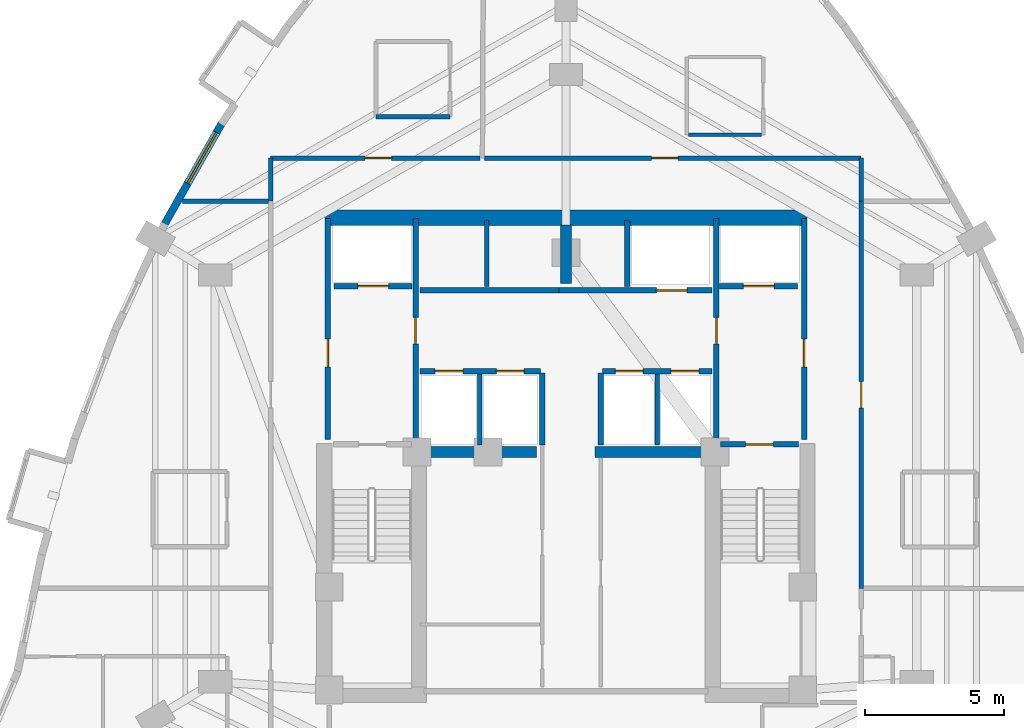
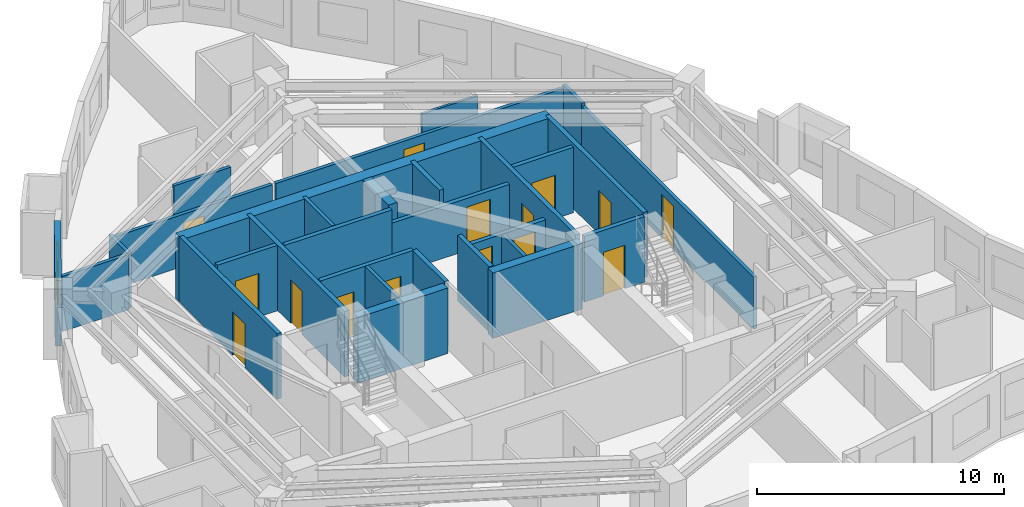
# One storey, part 6 of 10: 30 walls, 15 doors, 1 window, 16 openings.
"""IFC4 building model written with IfcOpenShell, lengths in metres."""

from ifc_helpers import new_model, si_unit, direction, frame, frame_2d, origin, place, context, subcontext, project, spatial, rectangle, extrude, material, layer, layer_set, type_object, element, fill, save


model = new_model("IFC4")

# Units and contexts
model_context = context("Model", 3, precision=1e-05, world=origin(), true_north=direction((0.0, 1.0)))
body_context = subcontext(model_context, "Body", "Model", "MODEL_VIEW")
ifc_project = project(units=[si_unit("LENGTHUNIT", "METRE"), si_unit("AREAUNIT", "SQUARE_METRE"), si_unit("VOLUMEUNIT", "CUBIC_METRE"), si_unit("PLANEANGLEUNIT", "RADIAN"), si_unit("MASSUNIT", "GRAM", prefix="KILO")], contexts=[model_context])

# Site, building, storey
site_placement = place(None, origin())
site = spatial("IfcSite", under=ifc_project, at=site_placement, CompositionType="ELEMENT")
building_placement = place(site_placement, origin())
building = spatial("IfcBuilding", under=site, at=building_placement, Name="Miruveldt Soraemaru", CompositionType="ELEMENT")
storey_placement = place(building_placement, frame((0.0, 0.0, 173.89990234375)))
storey = spatial("IfcBuildingStorey", under=building, at=storey_placement, Name="L48", CompositionType="ELEMENT", Elevation=173.89990234375)

# Walls
ifc_material_1 = material(Name="Concrete C70/85 (70 MPa)", Category="concrete")
ifc_layer_1 = layer(ifc_material_1, 0.5, Name="Concrete C70/85 (70 MPa)", Category="concrete")
ifc_layer_set_1 = layer_set([ifc_layer_1], Name="Concrete C70/85 (70 MPa)")
wall_type_1 = type_object("IfcWallType", Name="WALL-BW-500", PredefinedType="SHEAR", material=ifc_layer_set_1)
wall_1_placement = place(storey_placement, frame((44.0, 50.10009765625, 0.0), z_axis=(0.0, 0.0, 1.0), x_axis=(0.0, 1.0, 0.0)))
element("IfcWall", 1, at=wall_1_placement, inside=storey, type_object=wall_type_1, Name="L48 Core Buttress Shear Wall BN", PredefinedType="SHEAR", context=body_context, shape_type="SweptSolid", body=[
    extrude(rectangle(XDim=2.099853515625, YDim=0.39990234375, at=frame_2d((1.0498046875, 0.0))), origin(), (0.0, 0.0, 1.0), 3.235107421875),
])
for number, where, z_axis, x_axis, name in (
    (2, (38.75, 44.050048828125, 0.0), (0.0, 0.0, 1.0), (1.0, 0.0, 0.0), "L48 Core Buttress Shear Wall BW"),
    (3, (45.050048828125, 44.050048828125, 0.0), (0.0, 0.0, 1.0), (1.0, 0.0, 0.0), "L48 Core Buttress Shear Wall BE"),
):
    element("IfcWall", number, at=place(storey_placement, frame(where, z_axis=z_axis, x_axis=x_axis)), inside=storey, type_object=wall_type_1, Name=name, PredefinedType="SHEAR", context=body_context, shape_type="SweptSolid", body=[
        extrude(rectangle(XDim=4.199951171875, YDim=0.39990234375, at=frame_2d((2.10009765625, 0.0))), origin(), (0.0, 0.0, 1.0), 3.235107421875),
    ])
ifc_layer_2 = layer(ifc_material_1, 0.550048828125, Name="Concrete C70/85 (70 MPa)", Category="concrete")
ifc_layer_set_2 = layer_set([ifc_layer_2], Name="Concrete C70/85 (70 MPa)")
wall_type_2 = type_object("IfcWallType", Name="WALL-CW-550", PredefinedType="SHEAR", material=ifc_layer_set_2)
wall_2_placement = place(storey_placement, frame((35.35009765625, 52.449951171875, 0.0), z_axis=(0.0, 0.0, 1.0), x_axis=(1.0, 0.0, 0.0)))
element("IfcWall", 4, at=wall_2_placement, inside=storey, type_object=wall_type_2, Name="L48 Central Core Shear Wall N", PredefinedType="SHEAR", context=body_context, shape_type="SweptSolid", body=[
    extrude(rectangle(XDim=17.2998046875, YDim=0.550048828125, at=frame_2d((8.64990234375, 0.0))), origin(), (0.0, 0.0, 1.0), 3.235107421875),
])

# Wall, opening, window
ifc_material_2 = material(Name="Precast concrete C45/55 (45 MPa)", Category="concrete")
ifc_layer_3 = layer(ifc_material_2, 0.27001953125, Name="Precast concrete C45/55 (45 MPa)", Category="concrete")
ifc_layer_set_3 = layer_set([ifc_layer_3], Name="Precast concrete C45/55 (45 MPa)")
wall_type_3 = type_object("IfcWallType", Name="WALL-EXT-PC270", PredefinedType="SOLIDWALL", material=ifc_layer_set_3)
wall_3_placement = place(storey_placement, frame((31.657470703125, 55.87841796875, 0.0), z_axis=(0.0, 0.0, 1.0), x_axis=(-0.493382289932, -0.869812575203, 0.0)))
wall_3 = element("IfcWall", 5, at=wall_3_placement, inside=storey, type_object=wall_type_3, Name="L48 Precast Concrete Facade Wall 10", PredefinedType="SOLIDWALL", context=body_context, shape_type="SweptSolid", body=[
    extrude(rectangle(XDim=4.248046875, YDim=0.27001953125, at=frame_2d((2.1240234375, 0.0))), origin(), (0.0, 0.0, 1.0), 3.235107421875),
])
opening_1_placement = place(wall_3_placement, frame((0.4130859375, 0.0, 0.800048828125)))
opening_1 = element("IfcOpeningElement", 6, at=opening_1_placement, cuts=wall_3, Name="Opening WN-1", PredefinedType="OPENING", context=body_context, shape_type="SweptSolid", body=[
    extrude(rectangle(XDim=2.10009765625, YDim=1.699951171875, at=frame_2d((1.050048828125, 0.85009765625))), frame((0.0, 0.14501953125, 0.0), z_axis=(0.0, -1.0, 0.0), x_axis=(1.0, 0.0, 0.0)), (0.0, 0.0, 1.0), 0.2900390625),
])
ifc_material_3 = material(Name="Triple low-e insulated glazing", Category="glass")
window_type = type_object("IfcWindowType", Name="WIN-PUNCH-2100x1700", PartitioningType="SINGLE_PANEL", PredefinedType="WINDOW", material=ifc_material_3)
window_placement = place(opening_1_placement, origin())
window = element("IfcWindow", 7, at=window_placement, inside=storey, type_object=window_type, Name="L48 Punched Triple-Glazed Window 10.1", OverallHeight=1.699951171875, OverallWidth=2.10009765625, PartitioningType="SINGLE_PANEL", PredefinedType="WINDOW", context=body_context, shape_type="SweptSolid", body=[
    extrude(rectangle(XDim=2.10009765625, YDim=1.699951171875, at=frame_2d((1.050048828125, 0.85009765625))), frame((0.0, 0.030029296875, 0.0), z_axis=(0.0, -1.0, 0.0), x_axis=(1.0, 0.0, 0.0)), (0.0, 0.0, 1.0), 0.06005859375),
])
fill(opening_1, window)

# Walls
ifc_material_4 = material(Name="Gypsum plasterboard lining", Category="gypsum")
ifc_layer_4 = layer(ifc_material_4, 0.1201171875, Name="Gypsum plasterboard lining", Category="gypsum")
ifc_layer_set_4 = layer_set([ifc_layer_4], Name="Gypsum plasterboard lining")
wall_type_4 = type_object("IfcWallType", Name="WALL-INT-P120", PredefinedType="PARTITIONING", material=ifc_layer_set_4)
wall_4_placement = place(storey_placement, frame((48.39111328125, 55.429931640625, 0.0), z_axis=(0.0, 0.0, 1.0), x_axis=(1.0, 0.0, 0.0)))
element("IfcWall", 8, at=wall_4_placement, inside=storey, type_object=wall_type_4, Name="L48 Partition Wall 24", PredefinedType="PARTITIONING", context=body_context, shape_type="SweptSolid", body=[
    extrude(rectangle(XDim=2.6298828125, YDim=0.1201171875, at=frame_2d((1.31494140625, 0.0))), origin(), (0.0, 0.0, 1.0), 2.923095703125),
])
ifc_layer_5 = layer(ifc_material_4, 0.14990234375, Name="Gypsum plasterboard lining", Category="gypsum")
ifc_layer_set_5 = layer_set([ifc_layer_5], Name="Gypsum plasterboard lining")
wall_type_5 = type_object("IfcWallType", Name="WALL-INT-PLUMB", PredefinedType="PLUMBINGWALL", material=ifc_layer_set_5)
wall_5_placement = place(storey_placement, frame((37.18408203125, 56.080078125, 0.0), z_axis=(0.0, 0.0, 1.0), x_axis=(1.0, 0.0, 0.0)))
element("IfcWall", 9, at=wall_5_placement, inside=storey, type_object=wall_type_5, Name="L48 Partition Wall 14", PredefinedType="PLUMBINGWALL", context=body_context, shape_type="SweptSolid", body=[
    extrude(rectangle(XDim=2.64990234375, YDim=0.14990234375, at=frame_2d((1.324951171875, 0.0))), origin(), (0.0, 0.0, 1.0), 2.923095703125),
])

# Wall, opening, door
ifc_material_5 = material(Name="Concrete C40/50 (40 MPa)", Category="concrete")
ifc_layer_6 = layer(ifc_material_5, 0.159912109375, Name="Concrete C40/50 (40 MPa)", Category="concrete")
ifc_layer_set_6 = layer_set([ifc_layer_6], Name="Concrete C40/50 (40 MPa)")
wall_type_6 = type_object("IfcWallType", Name="WALL-INT-RC160", PredefinedType="SOLIDWALL", material=ifc_layer_set_6)
wall_6_placement = place(storey_placement, frame((54.60009765625, 39.15087890625, 0.0), z_axis=(0.0, 0.0, 1.0), x_axis=(0.0, 1.0, 0.0)))
wall_6 = element("IfcWall", 10, at=wall_6_placement, inside=storey, type_object=wall_type_6, Name="L48 Partition Wall 12", PredefinedType="SOLIDWALL", context=body_context, shape_type="SweptSolid", body=[
    extrude(rectangle(XDim=13.899169921875, YDim=0.159912109375, at=frame_2d((6.94970703125, 0.0))), origin(), (0.0, 0.0, 1.0), 2.572998046875),
])
opening_2_placement = place(wall_6_placement, frame((6.47412109375, 0.0, 0.0)))
opening_2 = element("IfcOpeningElement", 11, at=opening_2_placement, cuts=wall_6, Name="Opening FD2", PredefinedType="OPENING", context=body_context, shape_type="SweptSolid", body=[
    extrude(rectangle(XDim=0.949951171875, YDim=2.14990234375, at=frame_2d((0.47509765625, 1.074951171875))), frame((0.0, 0.08984375, 0.0), z_axis=(0.0, -1.0, 0.0), x_axis=(1.0, 0.0, 0.0)), (0.0, 0.0, 1.0), 0.179931640625),
])
ifc_material_6 = material(Name="Anodised aluminium EN AW-6063 T6", Category="aluminium")
door_type_1 = type_object("IfcDoorType", Name="DOOR-FD2-950", OperationType="NOTDEFINED", PredefinedType="DOOR", material=ifc_material_6)
door_1_placement = place(opening_2_placement, origin())
door_1 = element("IfcDoor", 12, at=door_1_placement, inside=storey, type_object=door_type_1, Name="L48 Unit CL06 Entrance Fire Door", OperationType="SINGLE_SWING_RIGHT", OverallHeight=2.14990234375, OverallWidth=0.949951171875, PredefinedType="DOOR", context=body_context, shape_type="SweptSolid", body=[
    extrude(rectangle(XDim=0.949951171875, YDim=2.14990234375, at=frame_2d((0.47509765625, 1.074951171875))), frame((0.0, 0.02490234375, 0.0), z_axis=(0.0, -1.0, 0.0), x_axis=(1.0, 0.0, 0.0)), (0.0, 0.0, 1.0), 0.050048828125),
])
fill(opening_2, door_1)

wall_7_placement = place(storey_placement, frame((54.60009765625, 54.60009765625, 0.0), z_axis=(0.0, 0.0, 1.0), x_axis=(-1.0, 0.0, 0.0)))
wall_7 = element("IfcWall", 13, at=wall_7_placement, inside=storey, type_object=wall_type_6, Name="L48 Partition Wall 4", PredefinedType="SOLIDWALL", context=body_context, shape_type="SweptSolid", body=[
    extrude(rectangle(XDim=13.51708984375, YDim=0.159912109375, at=frame_2d((6.758544921875, 0.0))), origin(), (0.0, 0.0, 1.0), 2.572998046875),
])
opening_3_placement = place(wall_7_placement, frame((6.573974609375, 0.0, 0.0)))
opening_3 = element("IfcOpeningElement", 14, at=opening_3_placement, cuts=wall_7, Name="Opening FD2", PredefinedType="OPENING", context=body_context, shape_type="SweptSolid", body=[
    extrude(rectangle(XDim=0.949951171875, YDim=2.14990234375, at=frame_2d((0.47509765625, 1.074951171875))), frame((0.0, 0.08984375, 0.0), z_axis=(0.0, -1.0, 0.0), x_axis=(1.0, 0.0, 0.0)), (0.0, 0.0, 1.0), 0.179931640625),
])
door_2_placement = place(opening_3_placement, origin())
door_2 = element("IfcDoor", 15, at=door_2_placement, inside=storey, type_object=door_type_1, Name="L48 Unit CL02 Entrance Fire Door", OperationType="SINGLE_SWING_RIGHT", OverallHeight=2.14990234375, OverallWidth=0.949951171875, PredefinedType="DOOR", context=body_context, shape_type="SweptSolid", body=[
    extrude(rectangle(XDim=0.949951171875, YDim=2.14990234375, at=frame_2d((0.47509765625, 1.074951171875))), frame((0.0, 0.02490234375, 0.0), z_axis=(0.0, -1.0, 0.0), x_axis=(1.0, 0.0, 0.0)), (0.0, 0.0, 1.0), 0.050048828125),
])
fill(opening_3, door_2)

wall_8_placement = place(storey_placement, frame((40.9169921875, 54.60009765625, 0.0), z_axis=(0.0, 0.0, 1.0), x_axis=(-1.0, 0.0, 0.0)))
wall_8 = element("IfcWall", 16, at=wall_8_placement, inside=storey, type_object=wall_type_6, Name="L48 Partition Wall 1", PredefinedType="SOLIDWALL", context=body_context, shape_type="SweptSolid", body=[
    extrude(rectangle(XDim=7.51708984375, YDim=0.159912109375, at=frame_2d((3.758544921875, 0.0))), origin(), (0.0, 0.0, 1.0), 2.572998046875),
])
opening_4_placement = place(wall_8_placement, frame((3.174072265625, 0.0, 0.0)))
opening_4 = element("IfcOpeningElement", 17, at=opening_4_placement, cuts=wall_8, Name="Opening FD2", PredefinedType="OPENING", context=body_context, shape_type="SweptSolid", body=[
    extrude(rectangle(XDim=0.949951171875, YDim=2.14990234375, at=frame_2d((0.47509765625, 1.074951171875))), frame((0.0, 0.08984375, 0.0), z_axis=(0.0, -1.0, 0.0), x_axis=(1.0, 0.0, 0.0)), (0.0, 0.0, 1.0), 0.179931640625),
])
door_3_placement = place(opening_4_placement, origin())
door_3 = element("IfcDoor", 18, at=door_3_placement, inside=storey, type_object=door_type_1, Name="L48 Unit CL01 Entrance Fire Door", OperationType="SINGLE_SWING_RIGHT", OverallHeight=2.14990234375, OverallWidth=0.949951171875, PredefinedType="DOOR", context=body_context, shape_type="SweptSolid", body=[
    extrude(rectangle(XDim=0.949951171875, YDim=2.14990234375, at=frame_2d((0.47509765625, 1.074951171875))), frame((0.0, 0.02490234375, 0.0), z_axis=(0.0, -1.0, 0.0), x_axis=(1.0, 0.0, 0.0)), (0.0, 0.0, 1.0), 0.050048828125),
])
fill(opening_4, door_3)

# Walls
wall_9_placement = place(storey_placement, frame((30.22607421875, 53.050048828125, 0.0), z_axis=(0.0, 0.0, 1.0), x_axis=(1.0, 0.0, 0.0)))
element("IfcWall", 19, at=wall_9_placement, inside=storey, type_object=wall_type_6, Name="L48 Partition Wall 16", PredefinedType="SOLIDWALL", context=body_context, shape_type="SweptSolid", body=[
    extrude(rectangle(XDim=3.093994140625, YDim=0.159912109375, at=frame_2d((1.546875, 0.0))), origin(), (0.0, 0.0, 1.0), 2.72314453125),
])
wall_10_placement = place(storey_placement, frame((40.89990234375, 44.300048828125, 0.0), z_axis=(0.0, 0.0, 1.0), x_axis=(0.0, 1.0, 0.0)))
element("IfcWall", 20, at=wall_10_placement, inside=storey, type_object=wall_type_6, Name="L48 Core Compartment Wall PLM-DW", PredefinedType="SOLIDWALL", context=body_context, shape_type="SweptSolid", body=[
    extrude(rectangle(XDim=2.550048828125, YDim=0.159912109375, at=frame_2d((1.27490234375, 0.0))), origin(), (0.0, 0.0, 1.0), 3.235107421875),
])
wall_11_placement = place(storey_placement, frame((47.280029296875, 44.300048828125, 0.0), z_axis=(0.0, 0.0, 1.0), x_axis=(0.0, 1.0, 0.0)))
element("IfcWall", 21, at=wall_11_placement, inside=storey, type_object=wall_type_6, Name="L48 Core Compartment Wall PLM-DE", PredefinedType="SOLIDWALL", context=body_context, shape_type="SweptSolid", body=[
    extrude(rectangle(XDim=2.550048828125, YDim=0.159912109375, at=frame_2d((1.27490234375, 0.0))), origin(), (0.0, 0.0, 1.0), 2.572998046875),
])
wall_12_placement = place(storey_placement, frame((41.14990234375, 49.97998046875, 0.0), z_axis=(0.0, 0.0, 1.0), x_axis=(0.0, 1.0, 0.0)))
element("IfcWall", 22, at=wall_12_placement, inside=storey, type_object=wall_type_6, Name="L48 Core Compartment Wall PLH-DIV1", PredefinedType="SOLIDWALL", context=body_context, shape_type="SweptSolid", body=[
    extrude(rectangle(XDim=2.3701171875, YDim=0.159912109375, at=frame_2d((1.18505859375, 0.0))), origin(), (0.0, 0.0, 1.0), 3.235107421875),
])
for number, where, z_axis, x_axis, name in (
    (23, (33.39990234375, 54.60009765625, 0.0), (0.0, 0.0, 1.0), (0.0, -1.0, 0.0), "L48 Partition Wall 2"),
    (24, (54.60009765625, 53.052978515625, 0.0), (0.0, 0.0, 1.0), (0.0, 1.0, 0.0), "L48 Partition Wall 3"),
):
    element("IfcWall", number, at=place(storey_placement, frame(where, z_axis=z_axis, x_axis=x_axis)), inside=storey, type_object=wall_type_6, Name=name, PredefinedType="SOLIDWALL", context=body_context, shape_type="SweptSolid", body=[
        extrude(rectangle(XDim=1.547119140625, YDim=0.159912109375, at=frame_2d((0.7734375, 0.0))), origin(), (0.0, 0.0, 1.0), 2.72314453125),
    ])

# Wall, opening, door
ifc_layer_7 = layer(ifc_material_5, 0.199951171875, Name="Concrete C40/50 (40 MPa)", Category="concrete")
ifc_layer_set_7 = layer_set([ifc_layer_7], Name="Concrete C40/50 (40 MPa)")
wall_type_7 = type_object("IfcWallType", Name="WALL-INT-RC200", PredefinedType="SOLIDWALL", material=ifc_layer_set_7)
wall_13_placement = place(storey_placement, frame((35.449951171875, 44.5, 0.0), z_axis=(0.0, 0.0, 1.0), x_axis=(0.0, 1.0, 0.0)))
wall_13 = element("IfcWall", 25, at=wall_13_placement, inside=storey, type_object=wall_type_7, Name="L48 Core Compartment Wall FFW-OUT", PredefinedType="SOLIDWALL", context=body_context, shape_type="SweptSolid", body=[
    extrude(rectangle(XDim=7.919921875, YDim=0.199951171875, at=frame_2d((3.9599609375, 0.0))), origin(), (0.0, 0.0, 1.0), 3.235107421875),
])
opening_5_placement = place(wall_13_placement, frame((2.60009765625, 0.0, 0.0)))
opening_5 = element("IfcOpeningElement", 26, at=opening_5_placement, cuts=wall_13, Name="Opening FD1", PredefinedType="OPENING", context=body_context, shape_type="SweptSolid", body=[
    extrude(rectangle(XDim=1.0, YDim=2.14990234375, at=frame_2d((0.5, 1.074951171875))), frame((0.0, 0.10986328125, 0.0), z_axis=(0.0, -1.0, 0.0), x_axis=(1.0, 0.0, 0.0)), (0.0, 0.0, 1.0), 0.219970703125),
])
door_type_2 = type_object("IfcDoorType", Name="DOOR-FD1-1000", OperationType="NOTDEFINED", PredefinedType="DOOR", material=ifc_material_6)
door_4_placement = place(opening_5_placement, origin())
door_4 = element("IfcDoor", 27, at=door_4_placement, inside=storey, type_object=door_type_2, Name="L48 West Firefighting Lobby Exit Door", OperationType="SINGLE_SWING_LEFT", OverallHeight=2.14990234375, OverallWidth=1.0, PredefinedType="DOOR", context=body_context, shape_type="SweptSolid", body=[
    extrude(rectangle(XDim=1.0, YDim=2.14990234375, at=frame_2d((0.5, 1.074951171875))), frame((0.0, 0.02490234375, 0.0), z_axis=(0.0, -1.0, 0.0), x_axis=(1.0, 0.0, 0.0)), (0.0, 0.0, 1.0), 0.050048828125),
])
fill(opening_5, door_4)

wall_14_placement = place(storey_placement, frame((52.550048828125, 44.5, 0.0), z_axis=(0.0, 0.0, 1.0), x_axis=(0.0, 1.0, 0.0)))
wall_14 = element("IfcWall", 28, at=wall_14_placement, inside=storey, type_object=wall_type_7, Name="L48 Core Compartment Wall FFE-OUT", PredefinedType="SOLIDWALL", context=body_context, shape_type="SweptSolid", body=[
    extrude(rectangle(XDim=7.919921875, YDim=0.199951171875, at=frame_2d((3.9599609375, 0.0))), origin(), (0.0, 0.0, 1.0), 3.235107421875),
])
opening_6_placement = place(wall_14_placement, frame((2.60009765625, 0.0, 0.0)))
opening_6 = element("IfcOpeningElement", 29, at=opening_6_placement, cuts=wall_14, Name="Opening FD1", PredefinedType="OPENING", context=body_context, shape_type="SweptSolid", body=[
    extrude(rectangle(XDim=1.0, YDim=2.14990234375, at=frame_2d((0.5, 1.074951171875))), frame((0.0, 0.10986328125, 0.0), z_axis=(0.0, -1.0, 0.0), x_axis=(1.0, 0.0, 0.0)), (0.0, 0.0, 1.0), 0.219970703125),
])
door_5_placement = place(opening_6_placement, frame((1.0, 0.0, 0.0), z_axis=(0.0, 0.0, 1.0), x_axis=(-1.0, 0.0, 0.0)))
door_5 = element("IfcDoor", 30, at=door_5_placement, inside=storey, type_object=door_type_2, Name="L48 East Firefighting Lobby Exit Door", OperationType="SINGLE_SWING_RIGHT", OverallHeight=2.14990234375, OverallWidth=1.0, PredefinedType="DOOR", context=body_context, shape_type="SweptSolid", body=[
    extrude(rectangle(XDim=1.0, YDim=2.14990234375, at=frame_2d((0.5, 1.074951171875))), frame((0.0, 0.02490234375, 0.0), z_axis=(0.0, -1.0, 0.0), x_axis=(1.0, 0.0, 0.0)), (0.0, 0.0, 1.0), 0.050048828125),
])
fill(opening_6, door_5)

wall_15_placement = place(storey_placement, frame((38.60009765625, 44.5, 0.0), z_axis=(0.0, 0.0, 1.0), x_axis=(0.0, 1.0, 0.0)))
wall_15 = element("IfcWall", 31, at=wall_15_placement, inside=storey, type_object=wall_type_7, Name="L48 Core Compartment Wall FFW-IN", PredefinedType="SOLIDWALL", context=body_context, shape_type="SweptSolid", body=[
    extrude(rectangle(XDim=7.919921875, YDim=0.199951171875, at=frame_2d((3.9599609375, 0.0))), origin(), (0.0, 0.0, 1.0), 3.235107421875),
])
opening_7_placement = place(wall_15_placement, frame((3.425048828125, 0.0, 0.0)))
opening_7 = element("IfcOpeningElement", 32, at=opening_7_placement, cuts=wall_15, Name="Opening FD2", PredefinedType="OPENING", context=body_context, shape_type="SweptSolid", body=[
    extrude(rectangle(XDim=0.949951171875, YDim=2.14990234375, at=frame_2d((0.47509765625, 1.074951171875))), frame((0.0, 0.10986328125, 0.0), z_axis=(0.0, -1.0, 0.0), x_axis=(1.0, 0.0, 0.0)), (0.0, 0.0, 1.0), 0.219970703125),
])
door_6_placement = place(opening_7_placement, frame((0.949951171875, 0.0, 0.0), z_axis=(0.0, 0.0, 1.0), x_axis=(-1.0, 0.0, 0.0)))
door_6 = element("IfcDoor", 33, at=door_6_placement, inside=storey, type_object=door_type_1, Name="L48 Lift Lobby to West Fire Lobby Door", OperationType="SINGLE_SWING_RIGHT", OverallHeight=2.14990234375, OverallWidth=0.949951171875, PredefinedType="DOOR", context=body_context, shape_type="SweptSolid", body=[
    extrude(rectangle(XDim=0.949951171875, YDim=2.14990234375, at=frame_2d((0.47509765625, 1.074951171875))), frame((0.0, 0.02490234375, 0.0), z_axis=(0.0, -1.0, 0.0), x_axis=(1.0, 0.0, 0.0)), (0.0, 0.0, 1.0), 0.050048828125),
])
fill(opening_7, door_6)

wall_16_placement = place(storey_placement, frame((49.39990234375, 44.5, 0.0), z_axis=(0.0, 0.0, 1.0), x_axis=(0.0, 1.0, 0.0)))
wall_16 = element("IfcWall", 34, at=wall_16_placement, inside=storey, type_object=wall_type_7, Name="L48 Core Compartment Wall FFE-IN", PredefinedType="SOLIDWALL", context=body_context, shape_type="SweptSolid", body=[
    extrude(rectangle(XDim=7.919921875, YDim=0.199951171875, at=frame_2d((3.9599609375, 0.0))), origin(), (0.0, 0.0, 1.0), 3.235107421875),
])
opening_8_placement = place(wall_16_placement, frame((3.425048828125, 0.0, 0.0)))
opening_8 = element("IfcOpeningElement", 35, at=opening_8_placement, cuts=wall_16, Name="Opening FD2", PredefinedType="OPENING", context=body_context, shape_type="SweptSolid", body=[
    extrude(rectangle(XDim=0.949951171875, YDim=2.14990234375, at=frame_2d((0.47509765625, 1.074951171875))), frame((0.0, 0.10986328125, 0.0), z_axis=(0.0, -1.0, 0.0), x_axis=(1.0, 0.0, 0.0)), (0.0, 0.0, 1.0), 0.219970703125),
])
door_7_placement = place(opening_8_placement, origin())
door_7 = element("IfcDoor", 36, at=door_7_placement, inside=storey, type_object=door_type_1, Name="L48 Lift Lobby to East Fire Lobby Door", OperationType="SINGLE_SWING_LEFT", OverallHeight=2.14990234375, OverallWidth=0.949951171875, PredefinedType="DOOR", context=body_context, shape_type="SweptSolid", body=[
    extrude(rectangle(XDim=0.949951171875, YDim=2.14990234375, at=frame_2d((0.47509765625, 1.074951171875))), frame((0.0, 0.02490234375, 0.0), z_axis=(0.0, -1.0, 0.0), x_axis=(1.0, 0.0, 0.0)), (0.0, 0.0, 1.0), 0.050048828125),
])
fill(opening_8, door_7)

wall_17_placement = place(storey_placement, frame((43.75, 49.85009765625, 0.0), z_axis=(0.0, 0.0, 1.0), x_axis=(1.0, 0.0, 0.0)))
wall_17 = element("IfcWall", 37, at=wall_17_placement, inside=storey, type_object=wall_type_7, Name="L48 Core Compartment Wall ROWA-SE", PredefinedType="SOLIDWALL", context=body_context, shape_type="SweptSolid", body=[
    extrude(rectangle(XDim=5.5, YDim=0.199951171875, at=frame_2d((2.75, 0.0))), origin(), (0.0, 0.0, 1.0), 2.572998046875),
])
opening_9_placement = place(wall_17_placement, frame((3.5, 0.0, 0.0)))
opening_9 = element("IfcOpeningElement", 38, at=opening_9_placement, cuts=wall_17, Name="Opening LD2", PredefinedType="OPENING", context=body_context, shape_type="SweptSolid", body=[
    extrude(rectangle(XDim=1.10009765625, YDim=2.14990234375, at=frame_2d((0.550048828125, 1.074951171875))), frame((0.0, 0.10986328125, 0.0), z_axis=(0.0, -1.0, 0.0), x_axis=(1.0, 0.0, 0.0)), (0.0, 0.0, 1.0), 0.219970703125),
])
door_type_3 = type_object("IfcDoorType", Name="DOOR-LD2-1100", OperationType="SLIDING_TO_LEFT", PredefinedType="DOOR", material=ifc_material_6)
door_8_placement = place(opening_9_placement, origin())
door_8 = element("IfcDoor", 39, at=door_8_placement, inside=storey, type_object=door_type_3, Name="L48 SL-1 Landing Door", OperationType="SLIDING_TO_LEFT", OverallHeight=2.14990234375, OverallWidth=1.10009765625, PredefinedType="DOOR", context=body_context, shape_type="SweptSolid", body=[
    extrude(rectangle(XDim=1.10009765625, YDim=2.14990234375, at=frame_2d((0.550048828125, 1.074951171875))), frame((0.0, 0.02490234375, 0.0), z_axis=(0.0, -1.0, 0.0), x_axis=(1.0, 0.0, 0.0)), (0.0, 0.0, 1.0), 0.050048828125),
])
fill(opening_9, door_8)

# Wall, openings, doors
wall_18_placement = place(storey_placement, frame((38.75, 46.949951171875, 0.0), z_axis=(0.0, 0.0, 1.0), x_axis=(1.0, 0.0, 0.0)))
wall_18 = element("IfcWall", 40, at=wall_18_placement, inside=storey, type_object=wall_type_7, Name="L48 Core Compartment Wall MBW-N", PredefinedType="SOLIDWALL", context=body_context, shape_type="SweptSolid", body=[
    extrude(rectangle(XDim=4.330078125, YDim=0.199951171875, at=frame_2d((2.1650390625, 0.0))), origin(), (0.0, 0.0, 1.0), 3.235107421875),
])
opening_10_placement = place(wall_18_placement, frame((0.550048828125, 0.0, 0.0)))
opening_10 = element("IfcOpeningElement", 41, at=opening_10_placement, cuts=wall_18, Name="Opening LD1B", PredefinedType="OPENING", context=body_context, shape_type="SweptSolid", body=[
    extrude(rectangle(XDim=1.0, YDim=2.14990234375, at=frame_2d((0.5, 1.074951171875))), frame((0.0, 0.10986328125, 0.0), z_axis=(0.0, -1.0, 0.0), x_axis=(1.0, 0.0, 0.0)), (0.0, 0.0, 1.0), 0.219970703125),
])
opening_11_placement = place(wall_18_placement, frame((2.75, 0.0, 0.0)))
opening_11 = element("IfcOpeningElement", 42, at=opening_11_placement, cuts=wall_18, Name="Opening LD1B", PredefinedType="OPENING", context=body_context, shape_type="SweptSolid", body=[
    extrude(rectangle(XDim=1.0, YDim=2.14990234375, at=frame_2d((0.5, 1.074951171875))), frame((0.0, 0.10986328125, 0.0), z_axis=(0.0, -1.0, 0.0), x_axis=(1.0, 0.0, 0.0)), (0.0, 0.0, 1.0), 0.219970703125),
])
door_type_4 = type_object("IfcDoorType", Name="DOOR-LD1-1000", OperationType="SLIDING_TO_LEFT", PredefinedType="DOOR", material=ifc_material_6)
door_9_placement = place(opening_10_placement, origin())
door_9 = element("IfcDoor", 43, at=door_9_placement, inside=storey, type_object=door_type_4, Name="L48 PL-M1 Landing Door", OperationType="SLIDING_TO_LEFT", OverallHeight=2.14990234375, OverallWidth=1.0, PredefinedType="DOOR", context=body_context, shape_type="SweptSolid", body=[
    extrude(rectangle(XDim=1.0, YDim=2.14990234375, at=frame_2d((0.5, 1.074951171875))), frame((0.0, 0.02490234375, 0.0), z_axis=(0.0, -1.0, 0.0), x_axis=(1.0, 0.0, 0.0)), (0.0, 0.0, 1.0), 0.050048828125),
])
fill(opening_10, door_9)
door_10_placement = place(opening_11_placement, origin())
door_10 = element("IfcDoor", 44, at=door_10_placement, inside=storey, type_object=door_type_4, Name="L48 PL-M2 Landing Door", OperationType="SLIDING_TO_LEFT", OverallHeight=2.14990234375, OverallWidth=1.0, PredefinedType="DOOR", context=body_context, shape_type="SweptSolid", body=[
    extrude(rectangle(XDim=1.0, YDim=2.14990234375, at=frame_2d((0.5, 1.074951171875))), frame((0.0, 0.02490234375, 0.0), z_axis=(0.0, -1.0, 0.0), x_axis=(1.0, 0.0, 0.0)), (0.0, 0.0, 1.0), 0.050048828125),
])
fill(opening_11, door_10)

wall_19_placement = place(storey_placement, frame((45.320068359375, 46.949951171875, 0.0), z_axis=(0.0, 0.0, 1.0), x_axis=(1.0, 0.0, 0.0)))
wall_19 = element("IfcWall", 45, at=wall_19_placement, inside=storey, type_object=wall_type_7, Name="L48 Core Compartment Wall MBE-N", PredefinedType="SOLIDWALL", context=body_context, shape_type="SweptSolid", body=[
    extrude(rectangle(XDim=3.929931640625, YDim=0.199951171875, at=frame_2d((1.96484375, 0.0))), origin(), (0.0, 0.0, 1.0), 2.572998046875),
])
opening_12_placement = place(wall_19_placement, frame((0.449951171875, 0.0, 0.0)))
opening_12 = element("IfcOpeningElement", 46, at=opening_12_placement, cuts=wall_19, Name="Opening LD1B", PredefinedType="OPENING", context=body_context, shape_type="SweptSolid", body=[
    extrude(rectangle(XDim=1.0, YDim=2.14990234375, at=frame_2d((0.5, 1.074951171875))), frame((0.0, 0.10986328125, 0.0), z_axis=(0.0, -1.0, 0.0), x_axis=(1.0, 0.0, 0.0)), (0.0, 0.0, 1.0), 0.219970703125),
])
opening_13_placement = place(wall_19_placement, frame((2.449951171875, 0.0, 0.0)))
opening_13 = element("IfcOpeningElement", 47, at=opening_13_placement, cuts=wall_19, Name="Opening LD1B", PredefinedType="OPENING", context=body_context, shape_type="SweptSolid", body=[
    extrude(rectangle(XDim=1.0, YDim=2.14990234375, at=frame_2d((0.5, 1.074951171875))), frame((0.0, 0.10986328125, 0.0), z_axis=(0.0, -1.0, 0.0), x_axis=(1.0, 0.0, 0.0)), (0.0, 0.0, 1.0), 0.219970703125),
])
door_11_placement = place(opening_12_placement, origin())
door_11 = element("IfcDoor", 48, at=door_11_placement, inside=storey, type_object=door_type_4, Name="L48 PL-M3 Landing Door", OperationType="SLIDING_TO_LEFT", OverallHeight=2.14990234375, OverallWidth=1.0, PredefinedType="DOOR", context=body_context, shape_type="SweptSolid", body=[
    extrude(rectangle(XDim=1.0, YDim=2.14990234375, at=frame_2d((0.5, 1.074951171875))), frame((0.0, 0.02490234375, 0.0), z_axis=(0.0, -1.0, 0.0), x_axis=(1.0, 0.0, 0.0)), (0.0, 0.0, 1.0), 0.050048828125),
])
fill(opening_12, door_11)
door_12_placement = place(opening_13_placement, origin())
door_12 = element("IfcDoor", 49, at=door_12_placement, inside=storey, type_object=door_type_4, Name="L48 PL-M4 Landing Door", OperationType="SLIDING_TO_LEFT", OverallHeight=2.14990234375, OverallWidth=1.0, PredefinedType="DOOR", context=body_context, shape_type="SweptSolid", body=[
    extrude(rectangle(XDim=1.0, YDim=2.14990234375, at=frame_2d((0.5, 1.074951171875))), frame((0.0, 0.02490234375, 0.0), z_axis=(0.0, -1.0, 0.0), x_axis=(1.0, 0.0, 0.0)), (0.0, 0.0, 1.0), 0.050048828125),
])
fill(opening_13, door_12)

# Wall, opening, door
wall_20_placement = place(storey_placement, frame((49.550048828125, 44.320068359375, 0.0), z_axis=(0.0, 0.0, 1.0), x_axis=(1.0, 0.0, 0.0)))
wall_20 = element("IfcWall", 50, at=wall_20_placement, inside=storey, type_object=wall_type_7, Name="L48 Core Compartment Wall ST2-N", PredefinedType="SOLIDWALL", context=body_context, shape_type="SweptSolid", body=[
    extrude(rectangle(XDim=2.800048828125, YDim=0.199951171875, at=frame_2d((1.39990234375, 0.0))), origin(), (0.0, 0.0, 1.0), 3.235107421875),
])
opening_14_placement = place(wall_20_placement, frame((0.89990234375, 0.0, 0.0)))
opening_14 = element("IfcOpeningElement", 51, at=opening_14_placement, cuts=wall_20, Name="Opening FD1", PredefinedType="OPENING", context=body_context, shape_type="SweptSolid", body=[
    extrude(rectangle(XDim=1.0, YDim=2.14990234375, at=frame_2d((0.5, 1.074951171875))), frame((0.0, 0.10986328125, 0.0), z_axis=(0.0, -1.0, 0.0), x_axis=(1.0, 0.0, 0.0)), (0.0, 0.0, 1.0), 0.219970703125),
])
door_13_placement = place(opening_14_placement, frame((1.0, 0.0, 0.0), z_axis=(0.0, 0.0, 1.0), x_axis=(-1.0, 0.0, 0.0)))
door_13 = element("IfcDoor", 52, at=door_13_placement, inside=storey, type_object=door_type_2, Name="L48 Stair ST-2 Fire Door", OperationType="SINGLE_SWING_RIGHT", OverallHeight=2.14990234375, OverallWidth=1.0, PredefinedType="DOOR", context=body_context, shape_type="SweptSolid", body=[
    extrude(rectangle(XDim=1.0, YDim=2.14990234375, at=frame_2d((0.5, 1.074951171875))), frame((0.0, 0.02490234375, 0.0), z_axis=(0.0, -1.0, 0.0), x_axis=(1.0, 0.0, 0.0)), (0.0, 0.0, 1.0), 0.050048828125),
])
fill(opening_14, door_13)

wall_21_placement = place(storey_placement, frame((35.679931640625, 50.0, 0.0), z_axis=(0.0, 0.0, 1.0), x_axis=(1.0, 0.0, 0.0)))
wall_21 = element("IfcWall", 53, at=wall_21_placement, inside=storey, type_object=wall_type_7, Name="L48 Core Compartment Wall FFL1-S", PredefinedType="SOLIDWALL", context=body_context, shape_type="SweptSolid", body=[
    extrude(rectangle(XDim=2.800048828125, YDim=0.199951171875, at=frame_2d((1.39990234375, 0.0))), origin(), (0.0, 0.0, 1.0), 3.235107421875),
])
opening_15_placement = place(wall_21_placement, frame((0.85009765625, 0.0, 0.0)))
opening_15 = element("IfcOpeningElement", 54, at=opening_15_placement, cuts=wall_21, Name="Opening LD2", PredefinedType="OPENING", context=body_context, shape_type="SweptSolid", body=[
    extrude(rectangle(XDim=1.10009765625, YDim=2.14990234375, at=frame_2d((0.550048828125, 1.074951171875))), frame((0.0, 0.10986328125, 0.0), z_axis=(0.0, -1.0, 0.0), x_axis=(1.0, 0.0, 0.0)), (0.0, 0.0, 1.0), 0.219970703125),
])
door_14_placement = place(opening_15_placement, origin())
door_14 = element("IfcDoor", 55, at=door_14_placement, inside=storey, type_object=door_type_3, Name="L48 FFL-1 Landing Door", OperationType="SLIDING_TO_LEFT", OverallHeight=2.14990234375, OverallWidth=1.10009765625, PredefinedType="DOOR", context=body_context, shape_type="SweptSolid", body=[
    extrude(rectangle(XDim=1.10009765625, YDim=2.14990234375, at=frame_2d((0.550048828125, 1.074951171875))), frame((0.0, 0.02490234375, 0.0), z_axis=(0.0, -1.0, 0.0), x_axis=(1.0, 0.0, 0.0)), (0.0, 0.0, 1.0), 0.050048828125),
])
fill(opening_15, door_14)

wall_22_placement = place(storey_placement, frame((49.52001953125, 50.0, 0.0), z_axis=(0.0, 0.0, 1.0), x_axis=(1.0, 0.0, 0.0)))
wall_22 = element("IfcWall", 56, at=wall_22_placement, inside=storey, type_object=wall_type_7, Name="L48 Core Compartment Wall FFL2-S", PredefinedType="SOLIDWALL", context=body_context, shape_type="SweptSolid", body=[
    extrude(rectangle(XDim=2.800048828125, YDim=0.199951171875, at=frame_2d((1.39990234375, 0.0))), origin(), (0.0, 0.0, 1.0), 3.235107421875),
])
opening_16_placement = place(wall_22_placement, frame((0.85009765625, 0.0, 0.0)))
opening_16 = element("IfcOpeningElement", 57, at=opening_16_placement, cuts=wall_22, Name="Opening LD2", PredefinedType="OPENING", context=body_context, shape_type="SweptSolid", body=[
    extrude(rectangle(XDim=1.10009765625, YDim=2.14990234375, at=frame_2d((0.550048828125, 1.074951171875))), frame((0.0, 0.10986328125, 0.0), z_axis=(0.0, -1.0, 0.0), x_axis=(1.0, 0.0, 0.0)), (0.0, 0.0, 1.0), 0.219970703125),
])
door_15_placement = place(opening_16_placement, origin())
door_15 = element("IfcDoor", 58, at=door_15_placement, inside=storey, type_object=door_type_3, Name="L48 FFL-2 Landing Door", OperationType="SLIDING_TO_LEFT", OverallHeight=2.14990234375, OverallWidth=1.10009765625, PredefinedType="DOOR", context=body_context, shape_type="SweptSolid", body=[
    extrude(rectangle(XDim=1.10009765625, YDim=2.14990234375, at=frame_2d((0.550048828125, 1.074951171875))), frame((0.0, 0.02490234375, 0.0), z_axis=(0.0, -1.0, 0.0), x_axis=(1.0, 0.0, 0.0)), (0.0, 0.0, 1.0), 0.050048828125),
])
fill(opening_16, door_15)

# Walls
wall_23_placement = place(storey_placement, frame((38.75, 49.85009765625, 0.0), z_axis=(0.0, 0.0, 1.0), x_axis=(1.0, 0.0, 0.0)))
element("IfcWall", 59, at=wall_23_placement, inside=storey, type_object=wall_type_7, Name="L48 Core Compartment Wall ROWA-SW", PredefinedType="SOLIDWALL", context=body_context, shape_type="SweptSolid", body=[
    extrude(rectangle(XDim=5.0, YDim=0.199951171875, at=frame_2d((2.5, 0.0))), origin(), (0.0, 0.0, 1.0), 3.235107421875),
])
for number, where, z_axis, x_axis, name in (
    (60, (43.14990234375, 44.300048828125, 0.0), (0.0, 0.0, 1.0), (0.0, 1.0, 0.0), "L48 Core Compartment Wall SP-WB"),
    (61, (45.25, 44.300048828125, 0.0), (0.0, 0.0, 1.0), (0.0, 1.0, 0.0), "L48 Core Compartment Wall SP-EB"),
):
    element("IfcWall", number, at=place(storey_placement, frame(where, z_axis=z_axis, x_axis=x_axis)), inside=storey, type_object=wall_type_7, Name=name, PredefinedType="SOLIDWALL", context=body_context, shape_type="SweptSolid", body=[
        extrude(rectangle(XDim=2.579833984375, YDim=0.199951171875, at=frame_2d((1.2900390625, 0.0))), origin(), (0.0, 0.0, 1.0), 3.235107421875),
    ])
wall_24_placement = place(storey_placement, frame((46.199951171875, 49.97998046875, 0.0), z_axis=(0.0, 0.0, 1.0), x_axis=(0.0, 1.0, 0.0)))
element("IfcWall", 62, at=wall_24_placement, inside=storey, type_object=wall_type_7, Name="L48 Core Compartment Wall PLH-SL-DIV", PredefinedType="SOLIDWALL", context=body_context, shape_type="SweptSolid", body=[
    extrude(rectangle(XDim=2.3701171875, YDim=0.199951171875, at=frame_2d((1.18505859375, 0.0))), origin(), (0.0, 0.0, 1.0), 3.235107421875),
])

save(model, "model.ifc")
